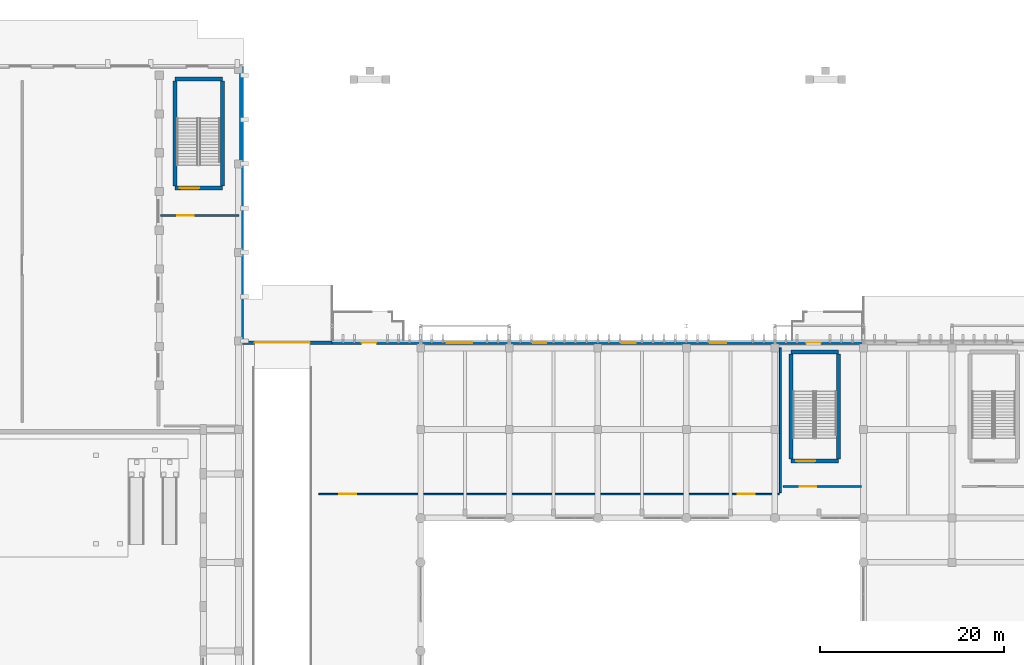
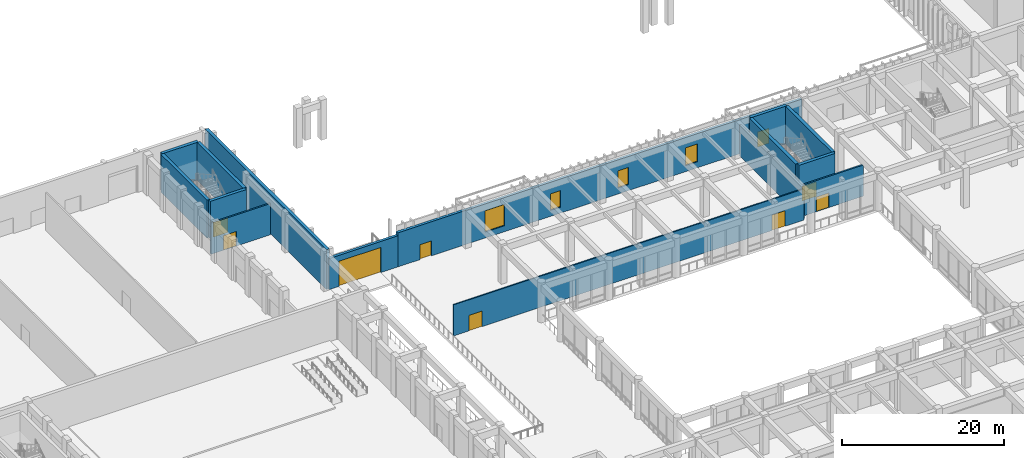
# One storey, part 45 of 87: 15 walls, 9 doors, 4 windows, 13 openings.
"""IFC4 building model written with IfcOpenShell, lengths in metres."""

from ifc_helpers import new_model, si_unit, direction, frame, frame_2d, origin, place, context, subcontext, project, spatial, rectangle, extrude, material, layer, layer_set, type_object, element, fill, save


model = new_model("IFC4")

# Units and contexts
model_context = context("Model", 3, precision=1e-05, world=origin(), true_north=direction((0.0, 1.0)))
body_context = subcontext(model_context, "Body", "Model", "MODEL_VIEW")
ifc_project = project(units=[si_unit("LENGTHUNIT", "METRE"), si_unit("AREAUNIT", "SQUARE_METRE"), si_unit("VOLUMEUNIT", "CUBIC_METRE"), si_unit("PLANEANGLEUNIT", "RADIAN"), si_unit("MASSUNIT", "GRAM", prefix="KILO")], contexts=[model_context])

# Site, building, storey
site_placement = place(None, origin())
site = spatial("IfcSite", under=ifc_project, at=site_placement, CompositionType="ELEMENT")
building_placement = place(site_placement, origin())
building = spatial("IfcBuilding", under=site, at=building_placement, Name="Nakhvara Creek Congress Hotel", CompositionType="ELEMENT")
storey_placement = place(building_placement, origin())
storey = spatial("IfcBuildingStorey", under=building, at=storey_placement, Name="L00", CompositionType="ELEMENT", Elevation=0.0)

# Wall
ifc_material_1 = material(Name="Honed pale Omani limestone cladding", Category="masonry")
ifc_layer_1 = layer(ifc_material_1, 0.050048828125)
ifc_material_2 = material(Name="Mineral wool thermal insulation")
ifc_layer_2 = layer(ifc_material_2, 0.110107421875)
ifc_material_3 = material(Name="Precast concrete C40/50", Category="concrete")
ifc_layer_3 = layer(ifc_material_3, 0.280029296875)
ifc_layer_set_1 = layer_set([ifc_layer_1, ifc_layer_2, ifc_layer_3], Name="Precast concrete C40/50")
wall_type_1 = type_object("IfcWallType", Name="W-BALL-440", PredefinedType="SOLIDWALL", material=ifc_layer_set_1)
wall_1_placement = place(storey_placement, frame((57.3798828125, 125.780029296875, 0.0), z_axis=(0.0, 0.0, 1.0), x_axis=(0.0, -1.0, 0.0)))
element("IfcWall", 1, at=wall_1_placement, inside=storey, type_object=wall_type_1, Name="Exterior Wall WE02-EW-L00-0026", PredefinedType="SOLIDWALL", context=body_context, shape_type="SweptSolid", body=[
    extrude(rectangle(XDim=29.969970703125, YDim=0.43994140625, at=frame_2d((14.98486328125, 0.0))), origin(), (0.0, 0.0, 1.0), 6.0),
])

# Wall, opening, door
ifc_material_4 = material(Name="Concrete C50/60", Category="concrete")
ifc_layer_4 = layer(ifc_material_4, 0.449951171875)
ifc_layer_set_2 = layer_set([ifc_layer_4], Name="Concrete C50/60")
wall_type_2 = type_object("IfcWallType", Name="W-CORE-450", PredefinedType="SHEAR", material=ifc_layer_set_2)
wall_2_placement = place(storey_placement, frame((50.14990234375, 112.580078125, 0.0), z_axis=(0.0, 0.0, 1.0), x_axis=(1.0, 0.0, 0.0)))
wall_2 = element("IfcWall", 2, at=wall_2_placement, inside=storey, type_object=wall_type_2, Name="Core Shear Wall WS02-CWALL-L00-0879", PredefinedType="SHEAR", context=body_context, shape_type="SweptSolid", body=[
    extrude(rectangle(XDim=5.150146484375, YDim=0.449951171875, at=frame_2d((2.5751953125, 0.0))), origin(), (0.0, 0.0, 1.0), 5.699951171875),
])
opening_1_placement = place(wall_2_placement, frame((0.550048828125, 0.0, 0.0)))
opening_1 = element("IfcOpeningElement", 3, at=opening_1_placement, cuts=wall_2, Name="Opening FD19", PredefinedType="OPENING", context=body_context, shape_type="SweptSolid", body=[
    extrude(rectangle(XDim=2.10009765625, YDim=2.199951171875, at=frame_2d((1.050048828125, 1.10009765625))), frame((0.0, 0.23681640625, 0.0), z_axis=(0.0, -1.0, 0.0), x_axis=(1.0, 0.0, 0.0)), (0.0, 0.0, 1.0), 0.473876953125),
])
ifc_material_5 = material(Name="Galvanised steel acoustic fire door", Category="steel")
door_type_1 = type_object("IfcDoorType", Name="DT-STAIR-220", OperationType="DOUBLE_DOOR_SINGLE_SWING", PredefinedType="DOOR", material=ifc_material_5)
door_1_placement = place(opening_1_placement, frame((2.10009765625, 0.0, 0.0), z_axis=(0.0, 0.0, 1.0), x_axis=(-1.0, 0.0, 0.0)))
door_1 = element("IfcDoor", 4, at=door_1_placement, inside=storey, type_object=door_type_1, Name="Stair Exit Door ST08-L00", OperationType="DOUBLE_DOOR_SINGLE_SWING", OverallHeight=2.199951171875, OverallWidth=2.10009765625, PredefinedType="DOOR", context=body_context, shape_type="SweptSolid", body=[
    extrude(rectangle(XDim=2.10009765625, YDim=2.199951171875, at=frame_2d((1.050048828125, 1.10009765625))), frame((0.0, 0.02490234375, 0.0), z_axis=(0.0, -1.0, 0.0), x_axis=(1.0, 0.0, 0.0)), (0.0, 0.0, 1.0), 0.050048828125),
])
fill(opening_1, door_1)

# Walls
wall_3_placement = place(storey_placement, frame((50.14990234375, 124.419921875, 0.0), z_axis=(0.0, 0.0, 1.0), x_axis=(1.0, 0.0, 0.0)))
element("IfcWall", 5, at=wall_3_placement, inside=storey, type_object=wall_type_2, Name="Core Shear Wall WS02-CWALL-L00-0880", PredefinedType="SHEAR", context=body_context, shape_type="SweptSolid", body=[
    extrude(rectangle(XDim=5.150146484375, YDim=0.449951171875, at=frame_2d((2.5751953125, 0.0))), origin(), (0.0, 0.0, 1.0), 5.699951171875),
])
for number, where, z_axis, x_axis, name in (
    (6, (50.14990234375, 112.800048828125, 0.0), (0.0, 0.0, 1.0), (0.0, 1.0, 0.0), "Core Shear Wall WS02-CWALL-L00-0881"),
    (7, (55.300048828125, 112.800048828125, 0.0), (0.0, 0.0, 1.0), (0.0, 1.0, 0.0), "Core Shear Wall WS02-CWALL-L00-0882"),
):
    element("IfcWall", number, at=place(storey_placement, frame(where, z_axis=z_axis, x_axis=x_axis)), inside=storey, type_object=wall_type_2, Name=name, PredefinedType="SHEAR", context=body_context, shape_type="SweptSolid", body=[
        extrude(rectangle(XDim=11.39990234375, YDim=0.449951171875, at=frame_2d((5.699951171875, 0.0))), origin(), (0.0, 0.0, 1.0), 5.699951171875),
    ])

# Wall, opening, door
wall_4_placement = place(storey_placement, frame((116.949951171875, 82.97998046875, 0.0), z_axis=(0.0, 0.0, 1.0), x_axis=(1.0, 0.0, 0.0)))
wall_4 = element("IfcWall", 8, at=wall_4_placement, inside=storey, type_object=wall_type_2, Name="Core Shear Wall WS02-CWALL-L00-0895", PredefinedType="SHEAR", context=body_context, shape_type="SweptSolid", body=[
    extrude(rectangle(XDim=5.150146484375, YDim=0.449951171875, at=frame_2d((2.5751953125, 0.0))), origin(), (0.0, 0.0, 1.0), 5.699951171875),
])
opening_2_placement = place(wall_4_placement, frame((0.550048828125, 0.0, 0.0)))
opening_2 = element("IfcOpeningElement", 9, at=opening_2_placement, cuts=wall_4, Name="Opening FD19", PredefinedType="OPENING", context=body_context, shape_type="SweptSolid", body=[
    extrude(rectangle(XDim=2.10009765625, YDim=2.199951171875, at=frame_2d((1.050048828125, 1.10009765625))), frame((0.0, 0.23681640625, 0.0), z_axis=(0.0, -1.0, 0.0), x_axis=(1.0, 0.0, 0.0)), (0.0, 0.0, 1.0), 0.473876953125),
])
door_2_placement = place(opening_2_placement, frame((2.10009765625, 0.0, 0.0), z_axis=(0.0, 0.0, 1.0), x_axis=(-1.0, 0.0, 0.0)))
door_2 = element("IfcDoor", 10, at=door_2_placement, inside=storey, type_object=door_type_1, Name="Stair Exit Door ST09-L00", OperationType="DOUBLE_DOOR_SINGLE_SWING", OverallHeight=2.199951171875, OverallWidth=2.10009765625, PredefinedType="DOOR", context=body_context, shape_type="SweptSolid", body=[
    extrude(rectangle(XDim=2.10009765625, YDim=2.199951171875, at=frame_2d((1.050048828125, 1.10009765625))), frame((0.0, 0.02490234375, 0.0), z_axis=(0.0, -1.0, 0.0), x_axis=(1.0, 0.0, 0.0)), (0.0, 0.0, 1.0), 0.050048828125),
])
fill(opening_2, door_2)

# Walls
wall_5_placement = place(storey_placement, frame((116.949951171875, 94.820068359375, 0.0), z_axis=(0.0, 0.0, 1.0), x_axis=(1.0, 0.0, 0.0)))
element("IfcWall", 11, at=wall_5_placement, inside=storey, type_object=wall_type_2, Name="Core Shear Wall WS02-CWALL-L00-0896", PredefinedType="SHEAR", context=body_context, shape_type="SweptSolid", body=[
    extrude(rectangle(XDim=5.150146484375, YDim=0.449951171875, at=frame_2d((2.5751953125, 0.0))), origin(), (0.0, 0.0, 1.0), 5.699951171875),
])
for number, where, z_axis, x_axis, name in (
    (12, (116.949951171875, 83.199951171875, 0.0), (0.0, 0.0, 1.0), (0.0, 1.0, 0.0), "Core Shear Wall WS02-CWALL-L00-0897"),
    (13, (122.10009765625, 83.199951171875, 0.0), (0.0, 0.0, 1.0), (0.0, 1.0, 0.0), "Core Shear Wall WS02-CWALL-L00-0898"),
):
    element("IfcWall", number, at=place(storey_placement, frame(where, z_axis=z_axis, x_axis=x_axis)), inside=storey, type_object=wall_type_2, Name=name, PredefinedType="SHEAR", context=body_context, shape_type="SweptSolid", body=[
        extrude(rectangle(XDim=11.400146484375, YDim=0.449951171875, at=frame_2d((5.7001953125, 0.0))), origin(), (0.0, 0.0, 1.0), 5.699951171875),
    ])

# Wall, opening, door
ifc_material_6 = material(Name="Gypsum acoustic board on steel stud", Category="steel")
ifc_layer_5 = layer(ifc_material_6, 0.219970703125)
ifc_layer_set_3 = layer_set([ifc_layer_5], Name="Gypsum acoustic board on steel stud")
wall_type_3 = type_object("IfcWallType", Name="W-CORR-220", PredefinedType="PARTITIONING", material=ifc_layer_set_3)
wall_6_placement = place(storey_placement, frame((48.60009765625, 109.60009765625, 0.0), z_axis=(0.0, 0.0, 1.0), x_axis=(1.0, 0.0, 0.0)))
wall_6 = element("IfcWall", 14, at=wall_6_placement, inside=storey, type_object=wall_type_3, Name="Interior Wall WP11-IW-L00-0826", PredefinedType="PARTITIONING", context=body_context, shape_type="SweptSolid", body=[
    extrude(rectangle(XDim=8.5, YDim=0.219970703125, at=frame_2d((4.25, 0.0))), origin(), (0.0, 0.0, 1.0), 4.69189453125),
])
opening_3_placement = place(wall_6_placement, frame((1.800048828125, 0.0, 0.0)))
opening_3 = element("IfcOpeningElement", 15, at=opening_3_placement, cuts=wall_6, Name="Opening FD02", PredefinedType="OPENING", context=body_context, shape_type="SweptSolid", body=[
    extrude(rectangle(XDim=1.800048828125, YDim=2.199951171875, at=frame_2d((0.89990234375, 1.10009765625))), frame((0.0, 0.1220703125, 0.0), z_axis=(0.0, -1.0, 0.0), x_axis=(1.0, 0.0, 0.0)), (0.0, 0.0, 1.0), 0.243896484375),
])
ifc_material_7 = material(Name="Powder-coated steel fire door", Category="steel")
door_type_2 = type_object("IfcDoorType", Name="DT-STAIR-180", OperationType="DOUBLE_DOOR_SINGLE_SWING", PredefinedType="DOOR", material=ifc_material_7)
door_3_placement = place(opening_3_placement, origin())
door_3 = element("IfcDoor", 16, at=door_3_placement, inside=storey, type_object=door_type_2, Name="Interior Door FD02-0585", OperationType="DOUBLE_DOOR_SINGLE_SWING", OverallHeight=2.199951171875, OverallWidth=1.800048828125, PredefinedType="DOOR", context=body_context, shape_type="SweptSolid", body=[
    extrude(rectangle(XDim=1.800048828125, YDim=2.199951171875, at=frame_2d((0.89990234375, 1.10009765625))), frame((0.0, 0.02490234375, 0.0), z_axis=(0.0, -1.0, 0.0), x_axis=(1.0, 0.0, 0.0)), (0.0, 0.0, 1.0), 0.050048828125),
])
fill(opening_3, door_3)

wall_7_placement = place(storey_placement, frame((116.10009765625, 80.199951171875, 0.0), z_axis=(0.0, 0.0, 1.0), x_axis=(1.0, 0.0, 0.0)))
wall_7 = element("IfcWall", 17, at=wall_7_placement, inside=storey, type_object=wall_type_3, Name="Interior Wall WP11-IW-L00-0827", PredefinedType="PARTITIONING", context=body_context, shape_type="SweptSolid", body=[
    extrude(rectangle(XDim=8.5, YDim=0.219970703125, at=frame_2d((4.25, 0.0))), origin(), (0.0, 0.0, 1.0), 4.69189453125),
])
opening_4_placement = place(wall_7_placement, frame((1.800048828125, 0.0, 0.0)))
opening_4 = element("IfcOpeningElement", 18, at=opening_4_placement, cuts=wall_7, Name="Opening FD02", PredefinedType="OPENING", context=body_context, shape_type="SweptSolid", body=[
    extrude(rectangle(XDim=1.800048828125, YDim=2.199951171875, at=frame_2d((0.89990234375, 1.10009765625))), frame((0.0, 0.1220703125, 0.0), z_axis=(0.0, -1.0, 0.0), x_axis=(1.0, 0.0, 0.0)), (0.0, 0.0, 1.0), 0.243896484375),
])
door_4_placement = place(opening_4_placement, origin())
door_4 = element("IfcDoor", 19, at=door_4_placement, inside=storey, type_object=door_type_2, Name="Interior Door FD02-0586", OperationType="DOUBLE_DOOR_SINGLE_SWING", OverallHeight=2.199951171875, OverallWidth=1.800048828125, PredefinedType="DOOR", context=body_context, shape_type="SweptSolid", body=[
    extrude(rectangle(XDim=1.800048828125, YDim=2.199951171875, at=frame_2d((0.89990234375, 1.10009765625))), frame((0.0, 0.02490234375, 0.0), z_axis=(0.0, -1.0, 0.0), x_axis=(1.0, 0.0, 0.0)), (0.0, 0.0, 1.0), 0.050048828125),
])
fill(opening_4, door_4)

ifc_layer_6 = layer(ifc_material_1, 0.050048828125)
ifc_layer_7 = layer(ifc_material_2, 0.110107421875)
ifc_layer_8 = layer(ifc_material_3, 0.219970703125)
ifc_layer_set_4 = layer_set([ifc_layer_6, ifc_layer_7, ifc_layer_8], Name="Precast concrete C40/50")
wall_type_4 = type_object("IfcWallType", Name="W-EXT-380", PredefinedType="SOLIDWALL", material=ifc_layer_set_4)
wall_8_placement = place(storey_placement, frame((57.39990234375, 95.81005859375, 0.0), z_axis=(0.0, 0.0, 1.0), x_axis=(1.0, 0.0, 0.0)))
wall_8 = element("IfcWall", 20, at=wall_8_placement, inside=storey, type_object=wall_type_4, Name="Exterior Wall WE03-EW-L00-0027", PredefinedType="SOLIDWALL", context=body_context, shape_type="SweptSolid", body=[
    extrude(rectangle(XDim=9.800048828125, YDim=0.3798828125, at=frame_2d((4.89990234375, 0.0))), origin(), (0.0, 0.0, 1.0), 4.69189453125),
])
opening_5_placement = place(wall_8_placement, frame((1.39990234375, 0.0, 0.0)))
opening_5 = element("IfcOpeningElement", 21, at=opening_5_placement, cuts=wall_8, Name="Opening VG01", PredefinedType="OPENING", context=body_context, shape_type="SweptSolid", body=[
    extrude(rectangle(XDim=6.0, YDim=3.800048828125, at=frame_2d((3.0, 1.89990234375))), frame((0.0, 0.201904296875, 0.0), z_axis=(0.0, -1.0, 0.0), x_axis=(1.0, 0.0, 0.0)), (0.0, 0.0, 1.0), 0.40380859375),
])
ifc_material_8 = material(Name="Insulated powder-coated steel security roller shutter", Category="steel")
door_type_3 = type_object("IfcDoorType", Name="DT-EXT-VG600", OperationType="ROLLINGUP", PredefinedType="DOOR", material=ifc_material_8)
door_5_placement = place(opening_5_placement, origin())
door_5 = element("IfcDoor", 22, at=door_5_placement, inside=storey, type_object=door_type_3, Name="Car Park Ramp Roller Shutter VG01", OperationType="ROLLINGUP", OverallHeight=3.800048828125, OverallWidth=6.0, PredefinedType="DOOR", context=body_context, shape_type="SweptSolid", body=[
    extrude(rectangle(XDim=6.0, YDim=3.800048828125, at=frame_2d((3.0, 1.89990234375))), frame((0.0, 0.02490234375, 0.0), z_axis=(0.0, -1.0, 0.0), x_axis=(1.0, 0.0, 0.0)), (0.0, 0.0, 1.0), 0.050048828125),
])
fill(opening_5, door_5)

# Wall, openings, doors, windows
wall_9_placement = place(storey_placement, frame((67.199951171875, 95.81005859375, 0.0), z_axis=(0.0, 0.0, 1.0), x_axis=(1.0, 0.0, 0.0)))
wall_9 = element("IfcWall", 23, at=wall_9_placement, inside=storey, type_object=wall_type_4, Name="Exterior Wall WE03-EW-L00-0028", PredefinedType="SOLIDWALL", context=body_context, shape_type="SweptSolid", body=[
    extrude(rectangle(XDim=57.60009765625, YDim=0.3798828125, at=frame_2d((28.800048828125, 0.0))), origin(), (0.0, 0.0, 1.0), 5.14208984375),
])
opening_6_placement = place(wall_9_placement, frame((3.199951171875, 0.0, 0.0)))
opening_6 = element("IfcOpeningElement", 24, at=opening_6_placement, cuts=wall_9, Name="Opening EN01", PredefinedType="OPENING", context=body_context, shape_type="SweptSolid", body=[
    extrude(rectangle(XDim=1.60009765625, YDim=2.25, at=frame_2d((0.800048828125, 1.125))), frame((0.0, 0.201904296875, 0.0), z_axis=(0.0, -1.0, 0.0), x_axis=(1.0, 0.0, 0.0)), (0.0, 0.0, 1.0), 0.40380859375),
])
opening_7_placement = place(wall_9_placement, frame((51.39990234375, 0.0, 0.0)))
opening_7 = element("IfcOpeningElement", 25, at=opening_7_placement, cuts=wall_9, Name="Opening EN02", PredefinedType="OPENING", context=body_context, shape_type="SweptSolid", body=[
    extrude(rectangle(XDim=1.60009765625, YDim=2.25, at=frame_2d((0.800048828125, 1.125))), frame((0.0, 0.201904296875, 0.0), z_axis=(0.0, -1.0, 0.0), x_axis=(1.0, 0.0, 0.0)), (0.0, 0.0, 1.0), 0.40380859375),
])
opening_8_placement = place(wall_9_placement, frame((12.39990234375, 0.0, 0.89990234375)))
opening_8 = element("IfcOpeningElement", 26, at=opening_8_placement, cuts=wall_9, Name="Opening WN0008", PredefinedType="OPENING", context=body_context, shape_type="SweptSolid", body=[
    extrude(rectangle(XDim=2.800048828125, YDim=3.199951171875, at=frame_2d((1.39990234375, 1.60009765625))), frame((0.0, 0.201904296875, 0.0), z_axis=(0.0, -1.0, 0.0), x_axis=(1.0, 0.0, 0.0)), (0.0, 0.0, 1.0), 0.40380859375),
])
opening_9_placement = place(wall_9_placement, frame((21.800048828125, 0.0, 0.89990234375)))
opening_9 = element("IfcOpeningElement", 27, at=opening_9_placement, cuts=wall_9, Name="Opening WN0009", PredefinedType="OPENING", context=body_context, shape_type="SweptSolid", body=[
    extrude(rectangle(XDim=1.39990234375, YDim=2.5, at=frame_2d((0.699951171875, 1.25))), frame((0.0, 0.201904296875, 0.0), z_axis=(0.0, -1.0, 0.0), x_axis=(1.0, 0.0, 0.0)), (0.0, 0.0, 1.0), 0.40380859375),
])
opening_10_placement = place(wall_9_placement, frame((31.39990234375, 0.0, 0.89990234375)))
opening_10 = element("IfcOpeningElement", 28, at=opening_10_placement, cuts=wall_9, Name="Opening WN0010", PredefinedType="OPENING", context=body_context, shape_type="SweptSolid", body=[
    extrude(rectangle(XDim=1.5, YDim=2.60009765625, at=frame_2d((0.75, 1.300048828125))), frame((0.0, 0.201904296875, 0.0), z_axis=(0.0, -1.0, 0.0), x_axis=(1.0, 0.0, 0.0)), (0.0, 0.0, 1.0), 0.40380859375),
])
opening_11_placement = place(wall_9_placement, frame((41.0, 0.0, 0.89990234375)))
opening_11 = element("IfcOpeningElement", 29, at=opening_11_placement, cuts=wall_9, Name="Opening WN0011", PredefinedType="OPENING", context=body_context, shape_type="SweptSolid", body=[
    extrude(rectangle(XDim=1.75, YDim=2.699951171875, at=frame_2d((0.875, 1.35009765625))), frame((0.0, 0.201904296875, 0.0), z_axis=(0.0, -1.0, 0.0), x_axis=(1.0, 0.0, 0.0)), (0.0, 0.0, 1.0), 0.40380859375),
])
ifc_material_9 = material(Name="Bronze-anodised aluminium and laminated low-E glass", Category="aluminium")
door_type_4 = type_object("IfcDoorType", Name="DT-EXT-TER160", OperationType="DOUBLE_DOOR_SINGLE_SWING", PredefinedType="DOOR", material=ifc_material_9)
door_6_placement = place(opening_6_placement, origin())
door_6 = element("IfcDoor", 30, at=door_6_placement, inside=storey, type_object=door_type_4, Name="North Forecourt West Promenade Door EN01", OperationType="DOUBLE_DOOR_SINGLE_SWING", OverallHeight=2.25, OverallWidth=1.60009765625, PredefinedType="DOOR", context=body_context, shape_type="SweptSolid", body=[
    extrude(rectangle(XDim=1.60009765625, YDim=2.25, at=frame_2d((0.800048828125, 1.125))), frame((0.0, 0.02490234375, 0.0), z_axis=(0.0, -1.0, 0.0), x_axis=(1.0, 0.0, 0.0)), (0.0, 0.0, 1.0), 0.050048828125),
])
fill(opening_6, door_6)
door_7_placement = place(opening_7_placement, origin())
door_7 = element("IfcDoor", 31, at=door_7_placement, inside=storey, type_object=door_type_4, Name="North Forecourt East Promenade Door EN02", OperationType="DOUBLE_DOOR_SINGLE_SWING", OverallHeight=2.25, OverallWidth=1.60009765625, PredefinedType="DOOR", context=body_context, shape_type="SweptSolid", body=[
    extrude(rectangle(XDim=1.60009765625, YDim=2.25, at=frame_2d((0.800048828125, 1.125))), frame((0.0, 0.02490234375, 0.0), z_axis=(0.0, -1.0, 0.0), x_axis=(1.0, 0.0, 0.0)), (0.0, 0.0, 1.0), 0.050048828125),
])
fill(opening_7, door_7)
ifc_material_10 = material(Name="Thermally broken bronze-anodised aluminium and double-silver low-E insulated glass", Category="aluminium")
window_type_1 = type_object("IfcWindowType", Name="WN-POD-140X250", PartitioningType="SINGLE_PANEL", PredefinedType="WINDOW", material=ifc_material_10)
window_1_placement = place(opening_9_placement, origin())
window_1 = element("IfcWindow", 32, at=window_1_placement, inside=storey, type_object=window_type_1, Name="Facade Window WN0009", OverallHeight=2.5, OverallWidth=1.39990234375, PartitioningType="SINGLE_PANEL", PredefinedType="WINDOW", context=body_context, shape_type="SweptSolid", body=[
    extrude(rectangle(XDim=1.39990234375, YDim=2.5, at=frame_2d((0.699951171875, 1.25))), frame((0.0, 0.030029296875, 0.0), z_axis=(0.0, -1.0, 0.0), x_axis=(1.0, 0.0, 0.0)), (0.0, 0.0, 1.0), 0.06005859375),
])
fill(opening_9, window_1)
window_type_2 = type_object("IfcWindowType", Name="WN-POD-150X260", PartitioningType="SINGLE_PANEL", PredefinedType="WINDOW", material=ifc_material_10)
window_2_placement = place(opening_10_placement, origin())
window_2 = element("IfcWindow", 33, at=window_2_placement, inside=storey, type_object=window_type_2, Name="Facade Window WN0010", OverallHeight=2.60009765625, OverallWidth=1.5, PartitioningType="SINGLE_PANEL", PredefinedType="WINDOW", context=body_context, shape_type="SweptSolid", body=[
    extrude(rectangle(XDim=1.5, YDim=2.60009765625, at=frame_2d((0.75, 1.300048828125))), frame((0.0, 0.030029296875, 0.0), z_axis=(0.0, -1.0, 0.0), x_axis=(1.0, 0.0, 0.0)), (0.0, 0.0, 1.0), 0.06005859375),
])
fill(opening_10, window_2)
window_type_3 = type_object("IfcWindowType", Name="WN-POD-175X270", PartitioningType="SINGLE_PANEL", PredefinedType="WINDOW", material=ifc_material_10)
window_3_placement = place(opening_11_placement, origin())
window_3 = element("IfcWindow", 34, at=window_3_placement, inside=storey, type_object=window_type_3, Name="Facade Window WN0011", OverallHeight=2.699951171875, OverallWidth=1.75, PartitioningType="SINGLE_PANEL", PredefinedType="WINDOW", context=body_context, shape_type="SweptSolid", body=[
    extrude(rectangle(XDim=1.75, YDim=2.699951171875, at=frame_2d((0.875, 1.35009765625))), frame((0.0, 0.030029296875, 0.0), z_axis=(0.0, -1.0, 0.0), x_axis=(1.0, 0.0, 0.0)), (0.0, 0.0, 1.0), 0.06005859375),
])
fill(opening_11, window_3)
window_type_4 = type_object("IfcWindowType", Name="WN-POD-280X320", PartitioningType="SINGLE_PANEL", PredefinedType="WINDOW", material=ifc_material_10)
window_4_placement = place(opening_8_placement, origin())
window_4 = element("IfcWindow", 35, at=window_4_placement, inside=storey, type_object=window_type_4, Name="Facade Window WN0008", OverallHeight=3.199951171875, OverallWidth=2.800048828125, PartitioningType="SINGLE_PANEL", PredefinedType="WINDOW", context=body_context, shape_type="SweptSolid", body=[
    extrude(rectangle(XDim=2.800048828125, YDim=3.199951171875, at=frame_2d((1.39990234375, 1.60009765625))), frame((0.0, 0.030029296875, 0.0), z_axis=(0.0, -1.0, 0.0), x_axis=(1.0, 0.0, 0.0)), (0.0, 0.0, 1.0), 0.06005859375),
])
fill(opening_8, window_4)

# Wall, openings, doors
ifc_layer_9 = layer(ifc_material_6, 0.179931640625)
ifc_layer_set_5 = layer_set([ifc_layer_9], Name="Gypsum acoustic board on steel stud")
wall_type_5 = type_object("IfcWallType", Name="W-MEET-180", PredefinedType="PARTITIONING", material=ifc_layer_set_5)
wall_10_placement = place(storey_placement, frame((65.75, 79.39990234375, 0.0), z_axis=(0.0, 0.0, 1.0), x_axis=(1.0, 0.0, 0.0)))
wall_10 = element("IfcWall", 36, at=wall_10_placement, inside=storey, type_object=wall_type_5, Name="Interior Wall WP13-IW-L00-0060", PredefinedType="PARTITIONING", context=body_context, shape_type="SweptSolid", body=[
    extrude(rectangle(XDim=49.89990234375, YDim=0.179931640625, at=frame_2d((24.949951171875, 0.0))), origin(), (0.0, 0.0, 1.0), 4.69189453125),
])
opening_12_placement = place(wall_10_placement, frame((2.199951171875, 0.0, 0.0)))
opening_12 = element("IfcOpeningElement", 37, at=opening_12_placement, cuts=wall_10, Name="Opening MD01", PredefinedType="OPENING", context=body_context, shape_type="SweptSolid", body=[
    extrude(rectangle(XDim=1.85009765625, YDim=2.35009765625, at=frame_2d((0.925048828125, 1.175048828125))), frame((0.0, 0.10205078125, 0.0), z_axis=(0.0, -1.0, 0.0), x_axis=(1.0, 0.0, 0.0)), (0.0, 0.0, 1.0), 0.203857421875),
])
opening_13_placement = place(wall_10_placement, frame((45.39990234375, 0.0, 0.0)))
opening_13 = element("IfcOpeningElement", 38, at=opening_13_placement, cuts=wall_10, Name="Opening MD01", PredefinedType="OPENING", context=body_context, shape_type="SweptSolid", body=[
    extrude(rectangle(XDim=1.85009765625, YDim=2.35009765625, at=frame_2d((0.925048828125, 1.175048828125))), frame((0.0, 0.10205078125, 0.0), z_axis=(0.0, -1.0, 0.0), x_axis=(1.0, 0.0, 0.0)), (0.0, 0.0, 1.0), 0.203857421875),
])
ifc_material_11 = material(Name="Acoustic walnut timber double door", Category="wood")
door_type_5 = type_object("IfcDoorType", Name="DT-MEET-185", OperationType="DOUBLE_DOOR_SINGLE_SWING", PredefinedType="DOOR", material=ifc_material_11)
door_8_placement = place(opening_12_placement, frame((1.85009765625, 0.0, 0.0), z_axis=(0.0, 0.0, 1.0), x_axis=(-1.0, 0.0, 0.0)))
door_8 = element("IfcDoor", 39, at=door_8_placement, inside=storey, type_object=door_type_5, Name="Interior Door MD01-0059", OperationType="DOUBLE_DOOR_SINGLE_SWING", OverallHeight=2.35009765625, OverallWidth=1.85009765625, PredefinedType="DOOR", context=body_context, shape_type="SweptSolid", body=[
    extrude(rectangle(XDim=1.85009765625, YDim=2.35009765625, at=frame_2d((0.925048828125, 1.175048828125))), frame((0.0, 0.02490234375, 0.0), z_axis=(0.0, -1.0, 0.0), x_axis=(1.0, 0.0, 0.0)), (0.0, 0.0, 1.0), 0.050048828125),
])
fill(opening_12, door_8)
door_9_placement = place(opening_13_placement, frame((1.85009765625, 0.0, 0.0), z_axis=(0.0, 0.0, 1.0), x_axis=(-1.0, 0.0, 0.0)))
door_9 = element("IfcDoor", 40, at=door_9_placement, inside=storey, type_object=door_type_5, Name="Interior Door MD01-0060", OperationType="DOUBLE_DOOR_SINGLE_SWING", OverallHeight=2.35009765625, OverallWidth=1.85009765625, PredefinedType="DOOR", context=body_context, shape_type="SweptSolid", body=[
    extrude(rectangle(XDim=1.85009765625, YDim=2.35009765625, at=frame_2d((0.925048828125, 1.175048828125))), frame((0.0, 0.02490234375, 0.0), z_axis=(0.0, -1.0, 0.0), x_axis=(1.0, 0.0, 0.0)), (0.0, 0.0, 1.0), 0.050048828125),
])
fill(opening_13, door_9)

# Wall
ifc_layer_10 = layer(ifc_material_6, 0.199951171875)
ifc_layer_set_6 = layer_set([ifc_layer_10], Name="Gypsum acoustic board on steel stud")
wall_type_6 = type_object("IfcWallType", Name="W-PART-200", PredefinedType="PARTITIONING", material=ifc_layer_set_6)
wall_11_placement = place(storey_placement, frame((115.800048828125, 79.550048828125, 0.0), z_axis=(0.0, 0.0, 1.0), x_axis=(0.0, 1.0, 0.0)))
element("IfcWall", 41, at=wall_11_placement, inside=storey, type_object=wall_type_6, Name="Interior Wall WP12-IW-L00-0061", PredefinedType="PARTITIONING", context=body_context, shape_type="SweptSolid", body=[
    extrude(rectangle(XDim=15.699951171875, YDim=0.199951171875, at=frame_2d((7.85009765625, 0.0))), origin(), (0.0, 0.0, 1.0), 4.69189453125),
])

save(model, "model.ifc")
